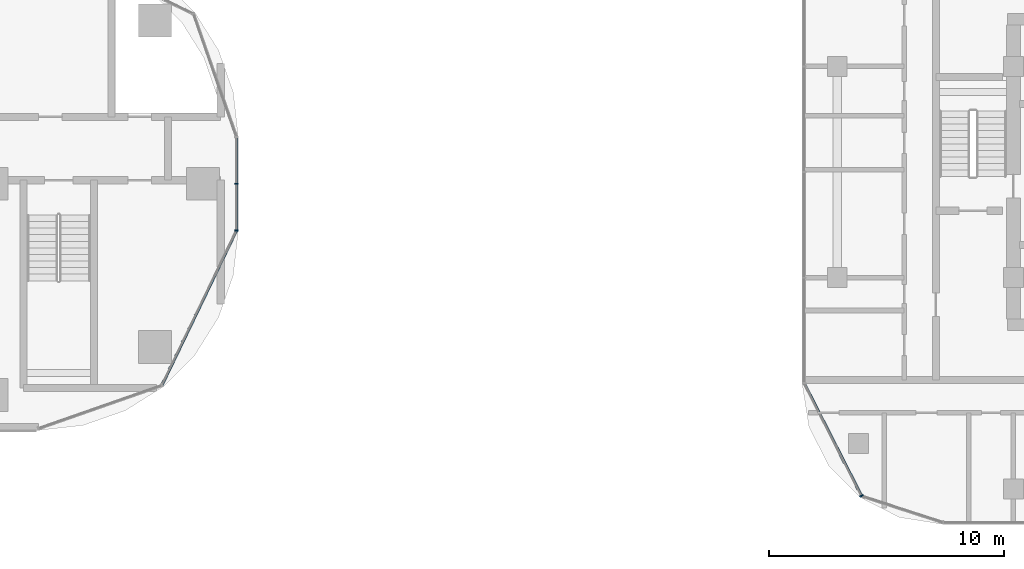
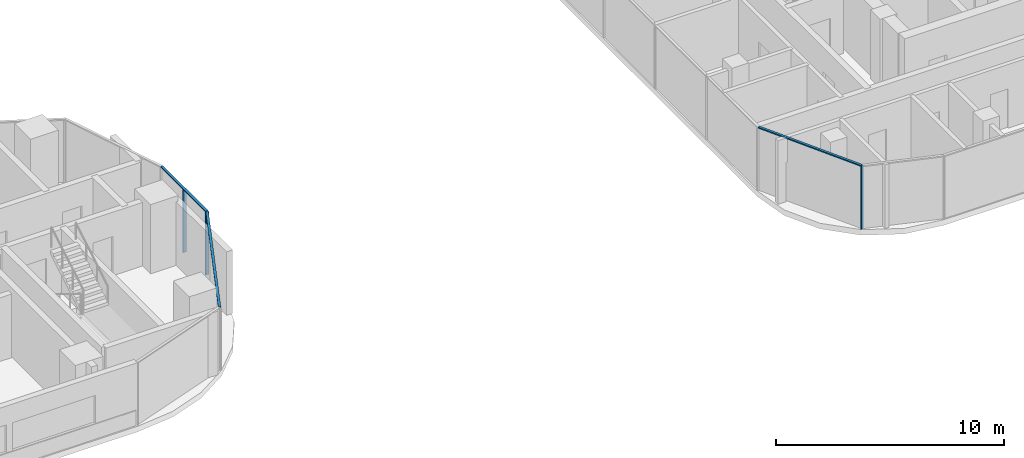
# One storey, part 5 of 31: 6 members, 3 elements without a shape of their own.
"""IFC4 building model written with IfcOpenShell, lengths in metres."""

from ifc_helpers import new_model, si_unit, direction, frame, origin, origin_2d, place, context, subcontext, project, spatial, rectangle, extrude, material, material_profile, profile_set, type_object, element, aggregate, save


model = new_model("IFC4")

# Units and contexts
model_context = context("Model", 3, precision=1e-05, world=origin(), true_north=direction((0.0, 1.0)))
body_context = subcontext(model_context, "Body", "Model", "MODEL_VIEW")
ifc_project = project(units=[si_unit("LENGTHUNIT", "METRE"), si_unit("AREAUNIT", "SQUARE_METRE"), si_unit("VOLUMEUNIT", "CUBIC_METRE"), si_unit("PLANEANGLEUNIT", "RADIAN"), si_unit("MASSUNIT", "GRAM", prefix="KILO")], contexts=[model_context])

# Site, building, storey
site_placement = place(None, origin())
site = spatial("IfcSite", under=ifc_project, at=site_placement, CompositionType="ELEMENT")
building_placement = place(site_placement, origin())
building = spatial("IfcBuilding", under=site, at=building_placement, Name="Ogive Portal Towers", CompositionType="ELEMENT")
storey_placement = place(building_placement, frame((0.0, 0.0, 74.199951171875)))
storey = spatial("IfcBuildingStorey", under=building, at=storey_placement, Name="L17", CompositionType="ELEMENT", Elevation=74.199951171875)

# Curtain wall, members
ifc_material_1 = material(Name="Glass, clear low-iron insulated glazing", Category="glass")
curtain_wall_type_1 = type_object("IfcCurtainWallType", Name="CW FRONT RIBBON 4500", PredefinedType="NOTDEFINED", material=ifc_material_1)
curtain_wall_1_placement = place(storey_placement, origin())
curtain_wall_1 = element("IfcCurtainWall", 1, at=curtain_wall_1_placement, inside=storey, type_object=curtain_wall_type_1, Name="A:L17:f09:cw0", PredefinedType="NOTDEFINED")
ifc_material_2 = material(Name="Aluminium 6063 anodised", Category="aluminium")
ifc_material_profile_1 = material_profile(ifc_material_2, rectangle(XDim=0.159912109375, YDim=0.06005859375, at=origin_2d()), Name="AL 60x160")
ifc_profile_set_1 = profile_set([ifc_material_profile_1], Name="Aluminium 6063 anodised")
member_type_1 = type_object("IfcMemberType", Name="CW MULLION 60x160", PredefinedType="MULLION", material=ifc_profile_set_1)
member_1_placement = place(storey_placement, frame((95.919921875, 28.518310546875, 0.0), z_axis=(0.0, 0.0, 1.0), x_axis=(-1.0, 0.0, 0.0)))
member_1 = element("IfcMember", 2, at=member_1_placement, type_object=member_type_1, Name="mullion", PredefinedType="MULLION", context=body_context, shape_type="SweptSolid", body=[
    extrude(rectangle(XDim=0.159912109375, YDim=0.06005859375, at=origin_2d()), origin(), (0.0, 0.0, 1.0), 3.340087890625),
])
member_2_placement = place(storey_placement, frame((95.919921875, 30.5, 0.0), z_axis=(0.0, 0.0, 1.0), x_axis=(-1.0, 0.0, 0.0)))
member_2 = element("IfcMember", 3, at=member_2_placement, type_object=member_type_1, Name="mullion", PredefinedType="MULLION", context=body_context, shape_type="SweptSolid", body=[
    extrude(rectangle(XDim=0.159912109375, YDim=0.06005859375, at=origin_2d()), origin(), (0.0, 0.0, 1.0), 3.340087890625),
])

# Curtain wall, member
curtain_wall_type_2 = type_object("IfcCurtainWallType", Name="CW RESIDENCES RIBBON", PredefinedType="NOTDEFINED", material=ifc_material_1)
curtain_wall_2_placement = place(storey_placement, origin())
curtain_wall_2 = element("IfcCurtainWall", 4, at=curtain_wall_2_placement, inside=storey, type_object=curtain_wall_type_2, Name="B:L17:f00:cwa", PredefinedType="NOTDEFINED")
member_3_placement = place(storey_placement, frame((122.529541015625, 17.211669921875, 0.0), z_axis=(0.0, 0.0, 1.0), x_axis=(0.891006524188, 0.45399049974, 0.0)))
member_3 = element("IfcMember", 5, at=member_3_placement, type_object=member_type_1, Name="mullion", PredefinedType="MULLION", context=body_context, shape_type="SweptSolid", body=[
    extrude(rectangle(XDim=0.159912109375, YDim=0.06005859375, at=origin_2d()), origin(), (0.0, 0.0, 1.0), 3.340087890625),
])

# Member
ifc_material_profile_2 = material_profile(ifc_material_2, rectangle(XDim=0.1201171875, YDim=0.06005859375, at=origin_2d()), Name="AL 120x60")
ifc_profile_set_2 = profile_set([ifc_material_profile_2], Name="Aluminium 6063 anodised")
member_type_2 = type_object("IfcMemberType", Name="CW TRANSOM 60x120", PredefinedType="USERDEFINED", material=ifc_profile_set_2)
member_4_placement = place(storey_placement, frame((95.919921875, 28.518310546875, 3.3701171875), z_axis=(0.0, 1.0, 0.0), x_axis=(-1.0, 0.0, 0.0)))
member_4 = element("IfcMember", 6, at=member_4_placement, type_object=member_type_2, Name="transom", ObjectType="TRANSOM", PredefinedType="USERDEFINED", context=body_context, shape_type="SweptSolid", body=[
    extrude(rectangle(XDim=0.1201171875, YDim=0.06005859375, at=origin_2d()), origin(), (0.0, 0.0, 1.0), 3.968017578125),
])

aggregate(curtain_wall_1, [member_4, member_1, member_2])

# Curtain wall, member
curtain_wall_3_placement = place(storey_placement, origin())
curtain_wall_3 = element("IfcCurtainWall", 7, at=curtain_wall_3_placement, inside=storey, type_object=curtain_wall_type_1, Name="A:L17:f07:cwa", PredefinedType="NOTDEFINED")
member_5_placement = place(storey_placement, frame((92.741943359375, 21.9189453125, 3.3701171875), z_axis=(0.433871738997, 0.900974646757, 0.0), x_axis=(-0.900974646757, 0.433871738997, 0.0)))
member_5 = element("IfcMember", 8, at=member_5_placement, type_object=member_type_2, Name="transom", ObjectType="TRANSOM", PredefinedType="USERDEFINED", context=body_context, shape_type="SweptSolid", body=[
    extrude(rectangle(XDim=0.1201171875, YDim=0.06005859375, at=origin_2d()), origin(), (0.0, 0.0, 1.0), 7.32470703125),
])
aggregate(curtain_wall_3, [member_5])

# Member
member_6_placement = place(storey_placement, frame((120.080078125, 22.019287109375, 3.3701171875), z_axis=(0.453969839149, -0.891017050983, 0.0), x_axis=(0.891017050983, 0.453969839149, 0.0)))
member_6 = element("IfcMember", 9, at=member_6_placement, type_object=member_type_2, Name="transom", ObjectType="TRANSOM", PredefinedType="USERDEFINED", context=body_context, shape_type="SweptSolid", body=[
    extrude(rectangle(XDim=0.1201171875, YDim=0.06005859375, at=origin_2d()), origin(), (0.0, 0.0, 1.0), 5.395751953125),
])

aggregate(curtain_wall_2, [member_6, member_3])

save(model, "model.ifc")
